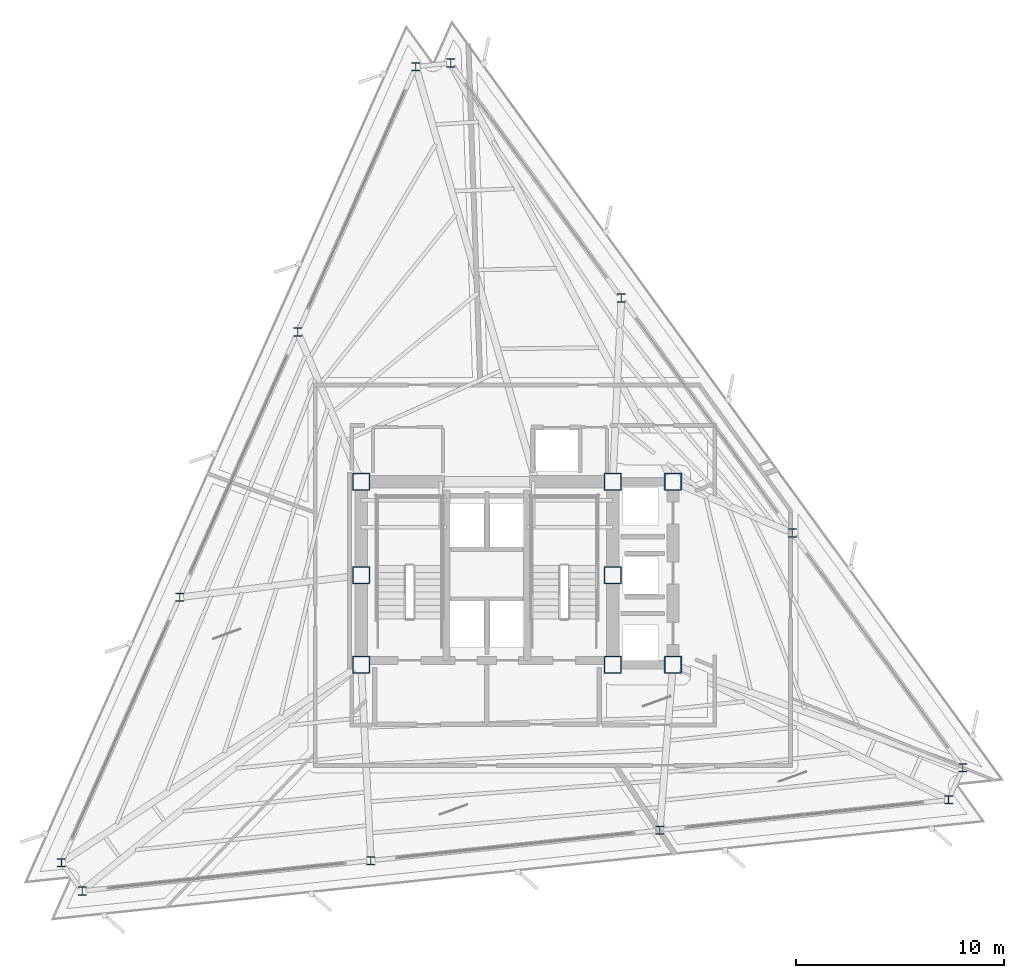
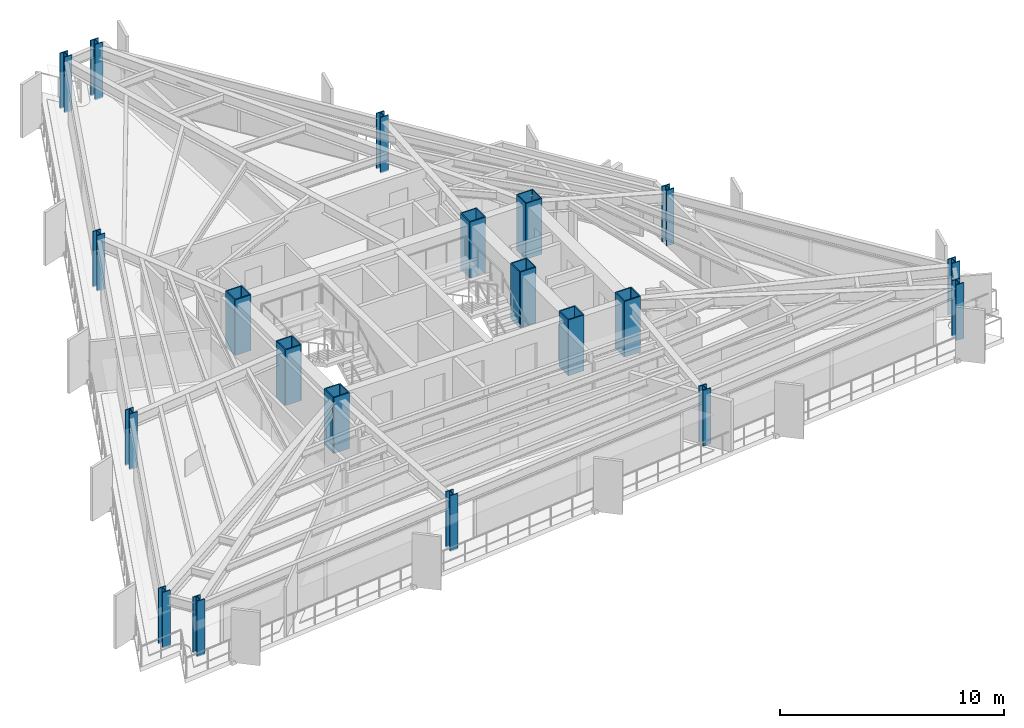
# One storey, part 1 of 13: 20 columns.
"""IFC4 building model written with IfcOpenShell, lengths in metres."""

from ifc_helpers import new_model, si_unit, direction, frame, origin, origin_2d, place, context, subcontext, project, spatial, hollow_rectangle, i_section, extrude, material, material_profile, profile_set, type_object, element, save


model = new_model("IFC4")

# Units and contexts
model_context = context("Model", 3, precision=1e-05, world=origin(), true_north=direction((0.0, 1.0)))
body_context = subcontext(model_context, "Body", "Model", "MODEL_VIEW")
ifc_project = project(units=[si_unit("LENGTHUNIT", "METRE"), si_unit("AREAUNIT", "SQUARE_METRE"), si_unit("VOLUMEUNIT", "CUBIC_METRE"), si_unit("PLANEANGLEUNIT", "RADIAN"), si_unit("MASSUNIT", "GRAM", prefix="KILO")], contexts=[model_context])

# Site, building, storey
site_placement = place(None, origin())
site = spatial("IfcSite", under=ifc_project, at=site_placement, CompositionType="ELEMENT")
building_placement = place(site_placement, origin())
building = spatial("IfcBuilding", under=site, at=building_placement, Name="Rocaltana Carrier Exchange", CompositionType="ELEMENT")
storey_placement = place(building_placement, frame((0.0, 0.0, 119.840087890625)))
storey = spatial("IfcBuildingStorey", under=building, at=storey_placement, Name="L37", CompositionType="ELEMENT", Elevation=119.840087890625)

# Columns
ifc_material_1 = material(Name="Steel S460", Category="steel")
ifc_material_profile_1 = material_profile(ifc_material_1, hollow_rectangle(XDim=0.85009765625, YDim=0.85009765625, WallThickness=0.054931640625, InnerFilletRadius=0.02001953125, OuterFilletRadius=0.0400390625, at=origin_2d()), Name="BOX850X850X55")
ifc_profile_set_1 = profile_set([ifc_material_profile_1], Name="Steel S460")
column_type_1 = type_object("IfcColumnType", Name="Core Mega-Column BOX850", PredefinedType="COLUMN", material=ifc_profile_set_1)
for number, where, z_axis, x_axis, name in (
    (1, (-6.050048828125, 4.5, 0.0), (0.0, 0.0, 1.0), (1.0, 0.0, 0.0), "L37 Core Mega-Column MC1"),
    (2, (6.050048828125, 4.5, 0.0), (0.0, 0.0, 1.0), (1.0, 0.0, 0.0), "L37 Core Mega-Column MC2"),
    (3, (-6.050048828125, 0.0, 0.0), (0.0, 0.0, 1.0), (1.0, 0.0, 0.0), "L37 Core Mega-Column MC3"),
    (4, (6.050048828125, 0.0, 0.0), (0.0, 0.0, 1.0), (1.0, 0.0, 0.0), "L37 Core Mega-Column MC4"),
    (5, (-6.050048828125, -4.300048828125, 0.0), (0.0, 0.0, 1.0), (1.0, 0.0, 0.0), "L37 Core Mega-Column MC5"),
    (6, (6.050048828125, -4.300048828125, 0.0), (0.0, 0.0, 1.0), (1.0, 0.0, 0.0), "L37 Core Mega-Column MC6"),
    (7, (8.949951171875, 4.5, 0.0), (0.0, 0.0, 1.0), (1.0, 0.0, 0.0), "L37 East Core Column EC1"),
    (8, (8.949951171875, -4.300048828125, 0.0), (0.0, 0.0, 1.0), (1.0, 0.0, 0.0), "L37 East Core Column EC2"),
):
    element("IfcColumn", number, at=place(storey_placement, frame(where, z_axis=z_axis, x_axis=x_axis)), inside=storey, type_object=column_type_1, Name=name, PredefinedType="COLUMN", context=body_context, shape_type="SweptSolid", body=[
        extrude(hollow_rectangle(XDim=0.85009765625, YDim=0.85009765625, WallThickness=0.054931640625, InnerFilletRadius=0.02001953125, OuterFilletRadius=0.0400390625, at=origin_2d()), origin(), (0.0, 0.0, 1.0), 3.039794921875),
    ])
ifc_material_2 = material(Name="Steel S355", Category="steel")
ifc_material_profile_2 = material_profile(ifc_material_2, i_section(OverallWidth=0.406005859375, OverallDepth=0.416015625, WebThickness=0.02978515625, FlangeThickness=0.048095703125, FilletRadius=0.02001953125, at=origin_2d()), Name="W14X257")
ifc_profile_set_2 = profile_set([ifc_material_profile_2], Name="Steel S355")
column_type_2 = type_object("IfcColumnType", Name="Perimeter Column W14X257", PredefinedType="COLUMN", material=ifc_profile_set_2)
for number, where, z_axis, x_axis, name in (
    (9, (22.88671875, -9.267578125, 0.0), (0.0, 0.0, 1.0), (1.0, 0.0, 0.0), "L37 Perimeter Column TC01"),
    (10, (14.67724609375, 2.03173828125, 0.0), (0.0, 0.0, 1.0), (1.0, 0.0, 0.0), "L37 Perimeter Column TC02"),
    (11, (6.4677734375, 13.3310546875, 0.0), (0.0, 0.0, 1.0), (1.0, 0.0, 0.0), "L37 Perimeter Column TC03"),
    (12, (-1.74169921875, 24.63037109375, 0.0), (0.0, 0.0, 1.0), (1.0, 0.0, 0.0), "L37 Perimeter Column TC04"),
    (13, (-3.417236328125, 24.4541015625, 0.0), (0.0, 0.0, 1.0), (1.0, 0.0, 0.0), "L37 Perimeter Column TC05"),
    (14, (-9.09814453125, 11.69482421875, 0.0), (0.0, 0.0, 1.0), (1.0, 0.0, 0.0), "L37 Perimeter Column TC06"),
    (15, (-14.77880859375, -1.064208984375, 0.0), (0.0, 0.0, 1.0), (1.0, 0.0, 0.0), "L37 Perimeter Column TC07"),
    (16, (-20.459716796875, -13.823486328125, 0.0), (0.0, 0.0, 1.0), (1.0, 0.0, 0.0), "L37 Perimeter Column TC08"),
    (17, (-19.46923828125, -15.1865234375, 0.0), (0.0, 0.0, 1.0), (1.0, 0.0, 0.0), "L37 Perimeter Column TC09"),
    (18, (-5.5791015625, -13.726806640625, 0.0), (0.0, 0.0, 1.0), (1.0, 0.0, 0.0), "L37 Perimeter Column TC10"),
    (19, (8.31103515625, -12.2666015625, 0.0), (0.0, 0.0, 1.0), (1.0, 0.0, 0.0), "L37 Perimeter Column TC11"),
    (20, (22.201171875, -10.806884765625, 0.0), (0.0, 0.0, 1.0), (1.0, 0.0, 0.0), "L37 Perimeter Column TC12"),
):
    element("IfcColumn", number, at=place(storey_placement, frame(where, z_axis=z_axis, x_axis=x_axis)), inside=storey, type_object=column_type_2, Name=name, PredefinedType="COLUMN", context=body_context, shape_type="SweptSolid", body=[
        extrude(i_section(OverallWidth=0.406005859375, OverallDepth=0.416015625, WebThickness=0.02978515625, FlangeThickness=0.048095703125, FilletRadius=0.02001953125, at=origin_2d()), origin(), (0.0, 0.0, 1.0), 3.039794921875),
    ])

save(model, "model.ifc")
